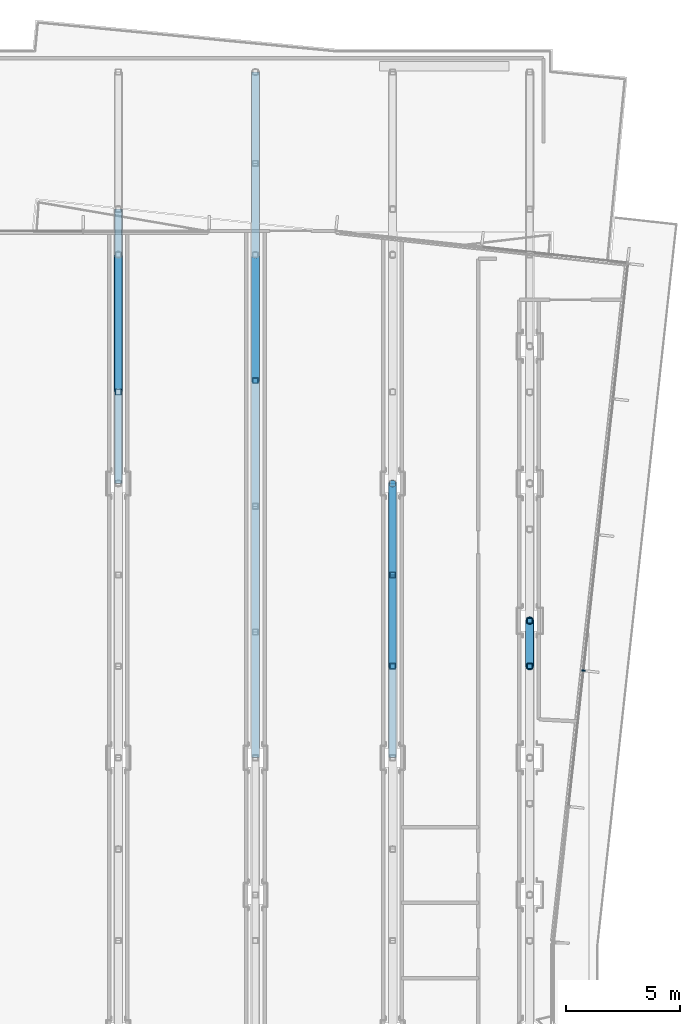
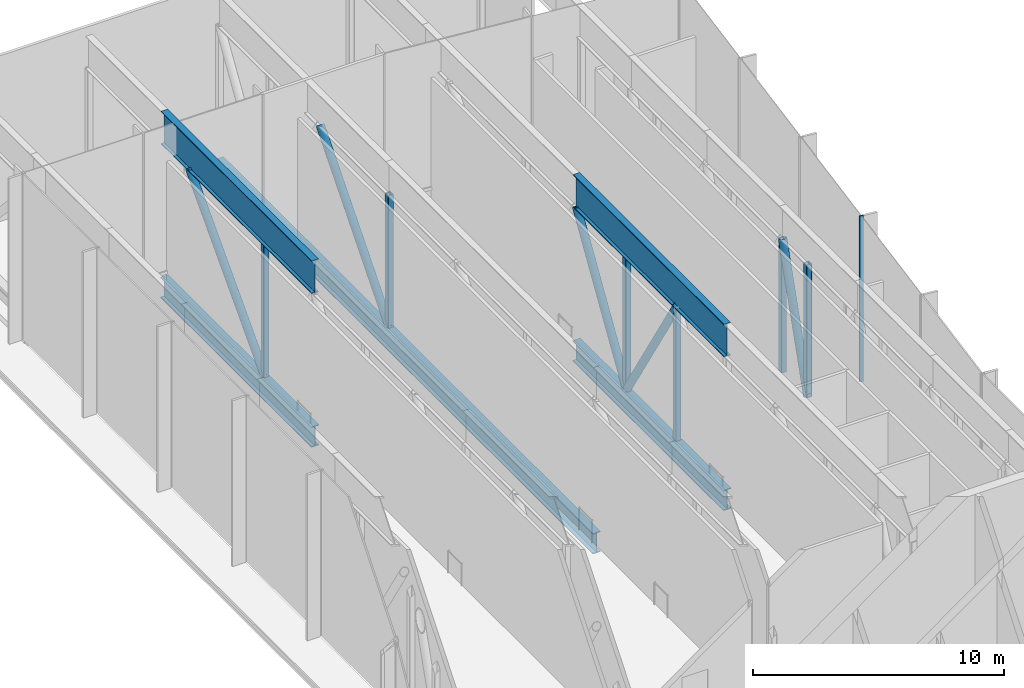
# One storey, part 7 of 21: 17 members, 1 element without a shape of its own.
"""IFC4 building model written with IfcOpenShell, lengths in metres."""

from ifc_helpers import new_model, si_unit, direction, frame, origin, origin_2d, place, context, subcontext, project, spatial, rectangle, hollow_rectangle, hollow_circle, i_section, extrude, material, layer, layer_set, material_profile, profile_set, type_object, element, aggregate, save


model = new_model("IFC4")

# Units and contexts
model_context = context("Model", 3, precision=1e-05, world=origin(), true_north=direction((0.0, 1.0)))
body_context = subcontext(model_context, "Body", "Model", "MODEL_VIEW")
ifc_project = project(units=[si_unit("LENGTHUNIT", "METRE"), si_unit("AREAUNIT", "SQUARE_METRE"), si_unit("VOLUMEUNIT", "CUBIC_METRE"), si_unit("PLANEANGLEUNIT", "RADIAN"), si_unit("MASSUNIT", "GRAM", prefix="KILO")], contexts=[model_context])

# Site, building, storey
site_placement = place(None, origin())
site = spatial("IfcSite", under=ifc_project, at=site_placement, CompositionType="ELEMENT")
building_placement = place(site_placement, origin())
building = spatial("IfcBuilding", under=site, at=building_placement, Name="Welwitschia Terrace Campus", CompositionType="ELEMENT")
storey_placement = place(building_placement, frame((0.0, 0.0, 255.800048828125)))
storey = spatial("IfcBuildingStorey", under=building, at=storey_placement, Name="L57", CompositionType="ELEMENT", Elevation=255.800048828125)

# Curtain wall, member
ifc_material_1 = material(Name="Bronze anodised aluminium", Category="aluminium")
ifc_layer = layer(ifc_material_1, 0.159912109375)
ifc_layer_set = layer_set([ifc_layer], Name="Bronze anodised aluminium")
curtain_wall_type = type_object("IfcCurtainWallType", Name="Curtain wall CW3 commons 6000", PredefinedType="NOTDEFINED", material=ifc_layer_set)
curtain_wall_placement = place(storey_placement, origin())
curtain_wall = element("IfcCurtainWall", 1, at=curtain_wall_placement, inside=storey, type_object=curtain_wall_type, Name="CW L57.4.0", PredefinedType="NOTDEFINED")
ifc_material_2 = material(Name="Bronze anodised aluminium", Category="aluminium")
ifc_material_profile_1 = material_profile(ifc_material_2, rectangle(XDim=0.159912109375, YDim=0.06005859375, at=origin_2d()))
ifc_profile_set_1 = profile_set([ifc_material_profile_1], Name="Bronze anodised aluminium")
member_type_1 = type_object("IfcMemberType", Name="Mullion 60x160", PredefinedType="MULLION", material=ifc_profile_set_1)
member_1_placement = place(storey_placement, frame((26.35205078125, 43.811279296875, 0.0), z_axis=(0.0, 0.0, 1.0), x_axis=(-0.994056338222, 0.108866874852, 0.0)))
member_1 = element("IfcMember", 2, at=member_1_placement, type_object=member_type_1, Name="Mullion L57.4.0.2", PredefinedType="MULLION", context=body_context, shape_type="SweptSolid", body=[
    extrude(rectangle(XDim=0.159912109375, YDim=0.06005859375, at=origin_2d()), origin(), (0.0, 0.0, 1.0), 8.050048828125),
])
aggregate(curtain_wall, [member_1])

# Members
ifc_material_3 = material(Name="Steel S355", Category="steel")
ifc_material_profile_2 = material_profile(ifc_material_3, i_section(OverallWidth=0.35009765625, OverallDepth=1.0, WebThickness=0.02490234375, FlangeThickness=0.0400390625, at=origin_2d()))
ifc_profile_set_2 = profile_set([ifc_material_profile_2], Name="Steel S355")
member_type_2 = type_object("IfcMemberType", Name="Transfer truss C4 bottom chord WI 1000x350x25x40", PredefinedType="CHORD", material=ifc_profile_set_2)
member_2_placement = place(storey_placement, frame((6.0, 52.0, -0.5), z_axis=(0.0, 1.0, 0.0), x_axis=(-1.0, 0.0, 0.0)))
element("IfcMember", 3, at=member_2_placement, inside=storey, type_object=member_type_2, Name="Truss bottom chord", PredefinedType="CHORD", context=body_context, shape_type="SweptSolid", body=[
    extrude(i_section(OverallWidth=0.35009765625, OverallDepth=1.0, WebThickness=0.02490234375, FlangeThickness=0.0400390625, at=origin_2d()), origin(), (0.0, 0.0, 1.0), 12.0),
])
member_3_placement = place(storey_placement, frame((12.0, 40.0, -0.5), z_axis=(0.0, 1.0, 0.0), x_axis=(-1.0, 0.0, 0.0)))
element("IfcMember", 4, at=member_3_placement, inside=storey, type_object=member_type_2, Name="Truss bottom chord", PredefinedType="CHORD", context=body_context, shape_type="SweptSolid", body=[
    extrude(i_section(OverallWidth=0.35009765625, OverallDepth=1.0, WebThickness=0.02490234375, FlangeThickness=0.0400390625, at=origin_2d()), origin(), (0.0, 0.0, 1.0), 30.0),
])
member_4_placement = place(storey_placement, frame((18.0, 40.0, -0.5), z_axis=(0.0, 1.0, 0.0), x_axis=(-1.0, 0.0, 0.0)))
element("IfcMember", 5, at=member_4_placement, inside=storey, type_object=member_type_2, Name="Truss bottom chord", PredefinedType="CHORD", context=body_context, shape_type="SweptSolid", body=[
    extrude(i_section(OverallWidth=0.35009765625, OverallDepth=1.0, WebThickness=0.02490234375, FlangeThickness=0.0400390625, at=origin_2d()), origin(), (0.0, 0.0, 1.0), 12.0),
])
ifc_material_4 = material(Name="Steel S355", Category="steel")
ifc_material_profile_3 = material_profile(ifc_material_4, hollow_circle(Radius=0.177734375, WallThickness=0.01611328125, at=origin_2d()))
ifc_profile_set_3 = profile_set([ifc_material_profile_3], Name="Steel S355")
member_type_3 = type_object("IfcMemberType", Name="Transfer truss C4 diagonal CHS 355.6x16", PredefinedType="BRACE", material=ifc_profile_set_3)
member_5_placement = place(storey_placement, frame((6.0, 56.0, 0.0), z_axis=(0.0, 0.681106706671, 0.732184166811), x_axis=(-1.0, 0.0, 0.0)))
element("IfcMember", 6, at=member_5_placement, inside=storey, type_object=member_type_3, Name="Truss diagonal", PredefinedType="BRACE", context=body_context, shape_type="SweptSolid", body=[
    extrude(hollow_circle(Radius=0.177734375, WallThickness=0.01611328125, at=origin_2d()), origin(), (0.0, 0.0, 1.0), 8.80908203125),
])
member_6_placement = place(storey_placement, frame((12.0, 56.5, 0.0), z_axis=(0.0, 0.648849017571, 0.760917178409), x_axis=(-1.0, 0.0, 0.0)))
element("IfcMember", 7, at=member_6_placement, inside=storey, type_object=member_type_3, Name="Truss diagonal", PredefinedType="BRACE", context=body_context, shape_type="SweptSolid", body=[
    extrude(hollow_circle(Radius=0.177734375, WallThickness=0.01611328125, at=origin_2d()), origin(), (0.0, 0.0, 1.0), 8.4765625),
])
for number, where, z_axis, x_axis, name in (
    (8, (18.0, 48.0, 0.0), (0.0, -0.527037721004, 0.849841891553), (1.0, 0.0, 0.0), "Truss diagonal"),
    (9, (18.0, 48.0, 0.0), (0.0, 0.527037721004, 0.849841891553), (-1.0, 0.0, 0.0), "Truss diagonal"),
):
    element("IfcMember", number, at=place(storey_placement, frame(where, z_axis=z_axis, x_axis=x_axis)), inside=storey, type_object=member_type_3, Name=name, PredefinedType="BRACE", context=body_context, shape_type="SweptSolid", body=[
        extrude(hollow_circle(Radius=0.177734375, WallThickness=0.01611328125, at=origin_2d()), origin(), (0.0, 0.0, 1.0), 7.589599609375),
    ])
member_7_placement = place(storey_placement, frame((24.0, 44.0, 0.0), z_axis=(0.0, 0.296168365803, 0.955135749042), x_axis=(-1.0, 0.0, 0.0)))
element("IfcMember", 10, at=member_7_placement, inside=storey, type_object=member_type_3, Name="Truss diagonal", PredefinedType="BRACE", context=body_context, shape_type="SweptSolid", body=[
    extrude(hollow_circle(Radius=0.177734375, WallThickness=0.01611328125, at=origin_2d()), origin(), (0.0, 0.0, 1.0), 6.7529296875),
])
ifc_material_5 = material(Name="Steel S355", Category="steel")
ifc_material_profile_4 = material_profile(ifc_material_5, hollow_rectangle(XDim=0.25, YDim=0.25, WallThickness=0.013916015625, InnerFilletRadius=0.013916015625, OuterFilletRadius=0.02099609375, at=origin_2d()))
ifc_profile_set_4 = profile_set([ifc_material_profile_4], Name="Steel S355")
member_type_4 = type_object("IfcMemberType", Name="Transfer truss C4 post SHS 250x250x14", PredefinedType="POST", material=ifc_profile_set_4)
for number, where, z_axis, x_axis, name in (
    (11, (6.0, 56.0, 0.0), (0.0, 0.0, 1.0), (1.0, 0.0, 0.0), "Truss post"),
    (12, (12.0, 56.5, 0.0), (0.0, 0.0, 1.0), (1.0, 0.0, 0.0), "Truss post"),
    (13, (18.0, 44.0, 0.0), (0.0, 0.0, 1.0), (1.0, 0.0, 0.0), "Truss post"),
    (14, (18.0, 48.0, 0.0), (0.0, 0.0, 1.0), (1.0, 0.0, 0.0), "Truss post"),
    (15, (24.0, 44.0, 0.0), (0.0, 0.0, 1.0), (1.0, 0.0, 0.0), "Truss post"),
    (16, (24.0, 46.0, 0.0), (0.0, 0.0, 1.0), (1.0, 0.0, 0.0), "Truss post"),
):
    element("IfcMember", number, at=place(storey_placement, frame(where, z_axis=z_axis, x_axis=x_axis)), inside=storey, type_object=member_type_4, Name=name, PredefinedType="POST", context=body_context, shape_type="SweptSolid", body=[
        extrude(hollow_rectangle(XDim=0.25, YDim=0.25, WallThickness=0.013916015625, InnerFilletRadius=0.013916015625, OuterFilletRadius=0.02099609375, at=origin_2d()), origin(), (0.0, 0.0, 1.0), 6.449951171875),
    ])
ifc_material_6 = material(Name="Steel S355", Category="steel")
ifc_material_profile_5 = material_profile(ifc_material_6, i_section(OverallWidth=0.300048828125, OverallDepth=1.60009765625, WebThickness=0.02490234375, FlangeThickness=0.0400390625, at=origin_2d()))
ifc_profile_set_5 = profile_set([ifc_material_profile_5], Name="Steel S355")
member_type_5 = type_object("IfcMemberType", Name="Transfer truss C4 top chord WI 1600x300x25x40", PredefinedType="CHORD", material=ifc_profile_set_5)
for number, where, z_axis, x_axis, name in (
    (17, (6.0, 52.0, 7.25), (0.0, 1.0, 0.0), (-1.0, 0.0, 0.0), "Truss top chord"),
    (18, (18.0, 40.0, 7.25), (0.0, 1.0, 0.0), (-1.0, 0.0, 0.0), "Truss top chord"),
):
    element("IfcMember", number, at=place(storey_placement, frame(where, z_axis=z_axis, x_axis=x_axis)), inside=storey, type_object=member_type_5, Name=name, PredefinedType="CHORD", context=body_context, shape_type="SweptSolid", body=[
        extrude(i_section(OverallWidth=0.300048828125, OverallDepth=1.60009765625, WebThickness=0.02490234375, FlangeThickness=0.0400390625, at=origin_2d()), origin(), (0.0, 0.0, 1.0), 12.0),
    ])

save(model, "model.ifc")
